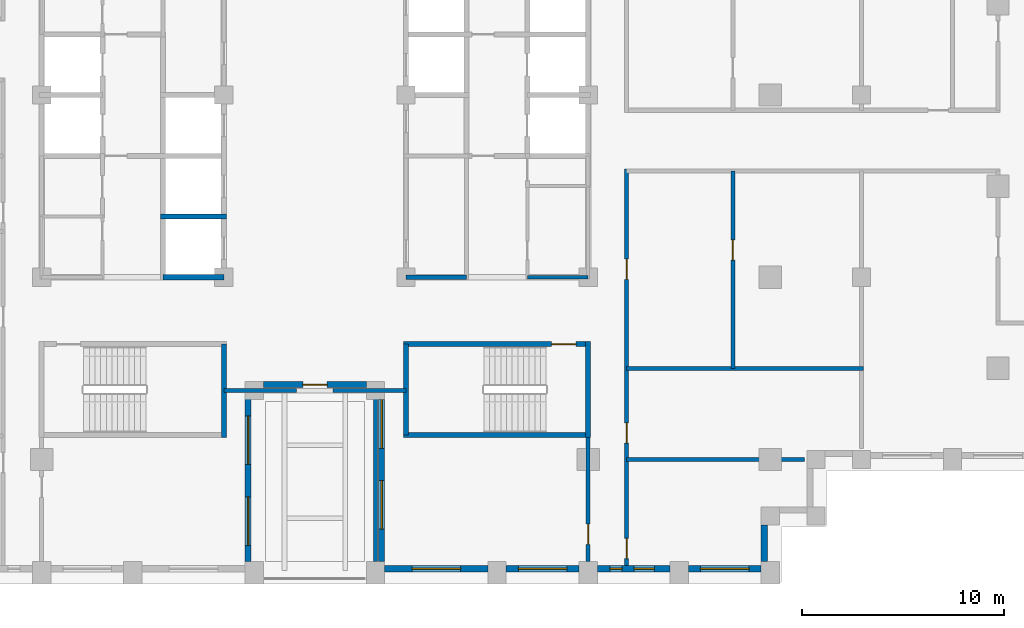
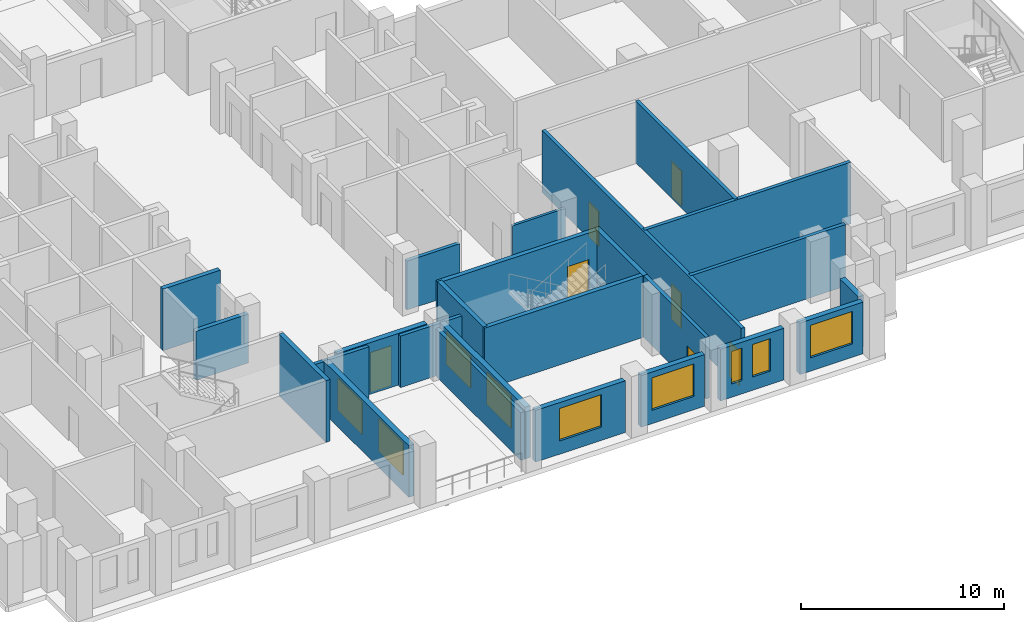
# One storey, part 4 of 12: 25 walls, 9 windows, 7 doors, 16 openings.
"""IFC4 building model written with IfcOpenShell, lengths in metres."""

from ifc_helpers import new_model, si_unit, direction, frame, frame_2d, origin, place, context, subcontext, project, spatial, rectangle, extrude, material, layer, layer_set, type_object, element, fill, save


model = new_model("IFC4")

# Units and contexts
model_context = context("Model", 3, precision=1e-05, world=origin(), true_north=direction((0.0, 1.0)))
body_context = subcontext(model_context, "Body", "Model", "MODEL_VIEW")
ifc_project = project(units=[si_unit("LENGTHUNIT", "METRE"), si_unit("AREAUNIT", "SQUARE_METRE"), si_unit("VOLUMEUNIT", "CUBIC_METRE"), si_unit("PLANEANGLEUNIT", "RADIAN"), si_unit("MASSUNIT", "GRAM", prefix="KILO")], contexts=[model_context])

# Site, building, storey
site_placement = place(None, origin())
site = spatial("IfcSite", under=ifc_project, at=site_placement, CompositionType="ELEMENT")
building_placement = place(site_placement, origin())
building = spatial("IfcBuilding", under=site, at=building_placement, Name="Corbelhall Arena Tower", CompositionType="ELEMENT")
storey_placement = place(building_placement, frame((0.0, 0.0, 126.0)))
storey = spatial("IfcBuildingStorey", under=building, at=storey_placement, Name="L23", CompositionType="ELEMENT", Elevation=126.0)

# Wall, openings, windows
ifc_material_1 = material(Name="Precast concrete C40/50 with granite facing", Category="masonry")
ifc_layer_1 = layer(ifc_material_1, 0.300048828125)
ifc_layer_set_1 = layer_set([ifc_layer_1], Name="EV-IW1 Infill panel 300")
wall_type_1 = type_object("IfcWallType", Name="EV-IW1 Infill panel 300", PredefinedType="SOLIDWALL", material=ifc_layer_set_1)
wall_1_placement = place(storey_placement, frame((-3.300048828125, -23.050048828125, 0.0), z_axis=(0.0, 0.0, 1.0), x_axis=(0.0, 1.0, 0.0)))
wall_1 = element("IfcWall", 1, at=wall_1_placement, inside=storey, type_object=wall_type_1, Name="Infill panel IW1", PredefinedType="SOLIDWALL", context=body_context, shape_type="SweptSolid", body=[
    extrude(rectangle(XDim=8.400146484375, YDim=0.300048828125, at=frame_2d((4.2001953125, 0.0))), origin(), (0.0, 0.0, 1.0), 3.10009765625),
])
opening_1_placement = place(wall_1_placement, frame((0.800048828125, 0.0, 0.800048828125)))
opening_1 = element("IfcOpeningElement", 2, at=opening_1_placement, cuts=wall_1, Name="Opening WN1", PredefinedType="OPENING", context=body_context, shape_type="SweptSolid", body=[
    extrude(rectangle(XDim=2.39990234375, YDim=1.949951171875, at=frame_2d((1.199951171875, 0.97509765625))), frame((0.0, 0.14990234375, 0.0), z_axis=(0.0, -1.0, 0.0), x_axis=(1.0, 0.0, 0.0)), (0.0, 0.0, 1.0), 0.300048828125),
])
opening_2_placement = place(wall_1_placement, frame((4.800048828125, 0.0, 0.800048828125)))
opening_2 = element("IfcOpeningElement", 3, at=opening_2_placement, cuts=wall_1, Name="Opening WN1", PredefinedType="OPENING", context=body_context, shape_type="SweptSolid", body=[
    extrude(rectangle(XDim=2.39990234375, YDim=1.949951171875, at=frame_2d((1.199951171875, 0.97509765625))), frame((0.0, 0.14990234375, 0.0), z_axis=(0.0, -1.0, 0.0), x_axis=(1.0, 0.0, 0.0)), (0.0, 0.0, 1.0), 0.300048828125),
])
ifc_material_2 = material(Name="Aluminium black anodised", Category="aluminium")
window_type_1 = type_object("IfcWindowType", Name="EV-WN1 Office window", PartitioningType="SINGLE_PANEL", PredefinedType="WINDOW", material=ifc_material_2)
window_1_placement = place(opening_1_placement, origin())
window_1 = element("IfcWindow", 4, at=window_1_placement, inside=storey, type_object=window_type_1, Name="Window WN1", OverallHeight=1.949951171875, OverallWidth=2.39990234375, PartitioningType="SINGLE_PANEL", PredefinedType="WINDOW", context=body_context, shape_type="SweptSolid", body=[
    extrude(rectangle(XDim=2.39990234375, YDim=1.949951171875, at=frame_2d((1.199951171875, 0.97509765625))), frame((0.0, 0.030029296875, 0.0), z_axis=(0.0, -1.0, 0.0), x_axis=(1.0, 0.0, 0.0)), (0.0, 0.0, 1.0), 0.06005859375),
])
fill(opening_1, window_1)
window_2_placement = place(opening_2_placement, origin())
window_2 = element("IfcWindow", 5, at=window_2_placement, inside=storey, type_object=window_type_1, Name="Window WN1", OverallHeight=1.949951171875, OverallWidth=2.39990234375, PartitioningType="SINGLE_PANEL", PredefinedType="WINDOW", context=body_context, shape_type="SweptSolid", body=[
    extrude(rectangle(XDim=2.39990234375, YDim=1.949951171875, at=frame_2d((1.199951171875, 0.97509765625))), frame((0.0, 0.030029296875, 0.0), z_axis=(0.0, -1.0, 0.0), x_axis=(1.0, 0.0, 0.0)), (0.0, 0.0, 1.0), 0.06005859375),
])
fill(opening_2, window_2)

# Wall, opening, door
wall_2_placement = place(storey_placement, frame((2.550048828125, -14.300048828125, 0.0), z_axis=(0.0, 0.0, 1.0), x_axis=(-1.0, 0.0, 0.0)))
wall_2 = element("IfcWall", 6, at=wall_2_placement, inside=storey, type_object=wall_type_1, Name="Infill panel IW1", PredefinedType="SOLIDWALL", context=body_context, shape_type="SweptSolid", body=[
    extrude(rectangle(XDim=5.10009765625, YDim=0.300048828125, at=frame_2d((2.550048828125, 0.0))), origin(), (0.0, 0.0, 1.0), 3.10009765625),
])
opening_3_placement = place(wall_2_placement, frame((1.949951171875, 0.0, 0.0)))
opening_3 = element("IfcOpeningElement", 7, at=opening_3_placement, cuts=wall_2, Name="Opening ED1", PredefinedType="OPENING", context=body_context, shape_type="SweptSolid", body=[
    extrude(rectangle(XDim=1.199951171875, YDim=2.39990234375, at=frame_2d((0.60009765625, 1.199951171875))), frame((0.0, 0.14990234375, 0.0), z_axis=(0.0, -1.0, 0.0), x_axis=(1.0, 0.0, 0.0)), (0.0, 0.0, 1.0), 0.300048828125),
])
door_type_1 = type_object("IfcDoorType", Name="EV-ED1 Terrace door", OperationType="SINGLE_SWING_LEFT", PredefinedType="DOOR", material=ifc_material_2)
door_1_placement = place(opening_3_placement, origin())
door_1 = element("IfcDoor", 8, at=door_1_placement, inside=storey, type_object=door_type_1, Name="Terrace door", OperationType="SINGLE_SWING_LEFT", OverallHeight=2.39990234375, OverallWidth=1.199951171875, PredefinedType="DOOR", context=body_context, shape_type="SweptSolid", body=[
    extrude(rectangle(XDim=1.199951171875, YDim=2.39990234375, at=frame_2d((0.60009765625, 1.199951171875))), frame((0.0, 0.02490234375, 0.0), z_axis=(0.0, -1.0, 0.0), x_axis=(1.0, 0.0, 0.0)), (0.0, 0.0, 1.0), 0.050048828125),
])
fill(opening_3, door_1)

# Wall, openings, windows
wall_3_placement = place(storey_placement, frame((3.300048828125, -14.64990234375, 0.0), z_axis=(0.0, 0.0, 1.0), x_axis=(0.0, -1.0, 0.0)))
wall_3 = element("IfcWall", 9, at=wall_3_placement, inside=storey, type_object=wall_type_1, Name="Infill panel IW1", PredefinedType="SOLIDWALL", context=body_context, shape_type="SweptSolid", body=[
    extrude(rectangle(XDim=8.400146484375, YDim=0.300048828125, at=frame_2d((4.2001953125, 0.0))), origin(), (0.0, 0.0, 1.0), 3.10009765625),
])
opening_4_placement = place(wall_3_placement, frame((0.39990234375, 0.0, 0.800048828125)))
opening_4 = element("IfcOpeningElement", 10, at=opening_4_placement, cuts=wall_3, Name="Opening WN1", PredefinedType="OPENING", context=body_context, shape_type="SweptSolid", body=[
    extrude(rectangle(XDim=2.39990234375, YDim=1.949951171875, at=frame_2d((1.199951171875, 0.97509765625))), frame((0.0, 0.14990234375, 0.0), z_axis=(0.0, -1.0, 0.0), x_axis=(1.0, 0.0, 0.0)), (0.0, 0.0, 1.0), 0.300048828125),
])
opening_5_placement = place(wall_3_placement, frame((4.39990234375, 0.0, 0.800048828125)))
opening_5 = element("IfcOpeningElement", 11, at=opening_5_placement, cuts=wall_3, Name="Opening WN1", PredefinedType="OPENING", context=body_context, shape_type="SweptSolid", body=[
    extrude(rectangle(XDim=2.39990234375, YDim=1.949951171875, at=frame_2d((1.199951171875, 0.97509765625))), frame((0.0, 0.14990234375, 0.0), z_axis=(0.0, -1.0, 0.0), x_axis=(1.0, 0.0, 0.0)), (0.0, 0.0, 1.0), 0.300048828125),
])
window_3_placement = place(opening_4_placement, origin())
window_3 = element("IfcWindow", 12, at=window_3_placement, inside=storey, type_object=window_type_1, Name="Window WN1", OverallHeight=1.949951171875, OverallWidth=2.39990234375, PartitioningType="SINGLE_PANEL", PredefinedType="WINDOW", context=body_context, shape_type="SweptSolid", body=[
    extrude(rectangle(XDim=2.39990234375, YDim=1.949951171875, at=frame_2d((1.199951171875, 0.97509765625))), frame((0.0, 0.030029296875, 0.0), z_axis=(0.0, -1.0, 0.0), x_axis=(1.0, 0.0, 0.0)), (0.0, 0.0, 1.0), 0.06005859375),
])
fill(opening_4, window_3)
window_4_placement = place(opening_5_placement, origin())
window_4 = element("IfcWindow", 13, at=window_4_placement, inside=storey, type_object=window_type_1, Name="Window WN1", OverallHeight=1.949951171875, OverallWidth=2.39990234375, PartitioningType="SINGLE_PANEL", PredefinedType="WINDOW", context=body_context, shape_type="SweptSolid", body=[
    extrude(rectangle(XDim=2.39990234375, YDim=1.949951171875, at=frame_2d((1.199951171875, 0.97509765625))), frame((0.0, 0.030029296875, 0.0), z_axis=(0.0, -1.0, 0.0), x_axis=(1.0, 0.0, 0.0)), (0.0, 0.0, 1.0), 0.06005859375),
])
fill(opening_5, window_4)

# Wall, opening, window
wall_4_placement = place(storey_placement, frame((3.449951171875, -23.39990234375, 0.0), z_axis=(0.0, 0.0, 1.0), x_axis=(1.0, 0.0, 0.0)))
wall_4 = element("IfcWall", 14, at=wall_4_placement, inside=storey, type_object=wall_type_1, Name="Infill panel IW1", PredefinedType="SOLIDWALL", context=body_context, shape_type="SweptSolid", body=[
    extrude(rectangle(XDim=5.10009765625, YDim=0.300048828125, at=frame_2d((2.550048828125, 0.0))), origin(), (0.0, 0.0, 1.0), 3.10009765625),
])
opening_6_placement = place(wall_4_placement, frame((1.35009765625, 0.0, 0.800048828125)))
opening_6 = element("IfcOpeningElement", 15, at=opening_6_placement, cuts=wall_4, Name="Opening WN1", PredefinedType="OPENING", context=body_context, shape_type="SweptSolid", body=[
    extrude(rectangle(XDim=2.39990234375, YDim=1.949951171875, at=frame_2d((1.199951171875, 0.97509765625))), frame((0.0, 0.14990234375, 0.0), z_axis=(0.0, -1.0, 0.0), x_axis=(1.0, 0.0, 0.0)), (0.0, 0.0, 1.0), 0.300048828125),
])
window_5_placement = place(opening_6_placement, origin())
window_5 = element("IfcWindow", 16, at=window_5_placement, inside=storey, type_object=window_type_1, Name="Window WN1", OverallHeight=1.949951171875, OverallWidth=2.39990234375, PartitioningType="SINGLE_PANEL", PredefinedType="WINDOW", context=body_context, shape_type="SweptSolid", body=[
    extrude(rectangle(XDim=2.39990234375, YDim=1.949951171875, at=frame_2d((1.199951171875, 0.97509765625))), frame((0.0, 0.030029296875, 0.0), z_axis=(0.0, -1.0, 0.0), x_axis=(1.0, 0.0, 0.0)), (0.0, 0.0, 1.0), 0.06005859375),
])
fill(opening_6, window_5)

wall_5_placement = place(storey_placement, frame((9.449951171875, -23.39990234375, 0.0), z_axis=(0.0, 0.0, 1.0), x_axis=(1.0, 0.0, 0.0)))
wall_5 = element("IfcWall", 17, at=wall_5_placement, inside=storey, type_object=wall_type_1, Name="Infill panel IW1", PredefinedType="SOLIDWALL", context=body_context, shape_type="SweptSolid", body=[
    extrude(rectangle(XDim=3.60009765625, YDim=0.300048828125, at=frame_2d((1.800048828125, 0.0))), origin(), (0.0, 0.0, 1.0), 3.10009765625),
])
opening_7_placement = place(wall_5_placement, frame((0.60009765625, 0.0, 0.800048828125)))
opening_7 = element("IfcOpeningElement", 18, at=opening_7_placement, cuts=wall_5, Name="Opening WN1", PredefinedType="OPENING", context=body_context, shape_type="SweptSolid", body=[
    extrude(rectangle(XDim=2.39990234375, YDim=1.949951171875, at=frame_2d((1.199951171875, 0.97509765625))), frame((0.0, 0.14990234375, 0.0), z_axis=(0.0, -1.0, 0.0), x_axis=(1.0, 0.0, 0.0)), (0.0, 0.0, 1.0), 0.300048828125),
])
window_6_placement = place(opening_7_placement, origin())
window_6 = element("IfcWindow", 19, at=window_6_placement, inside=storey, type_object=window_type_1, Name="Window WN1", OverallHeight=1.949951171875, OverallWidth=2.39990234375, PartitioningType="SINGLE_PANEL", PredefinedType="WINDOW", context=body_context, shape_type="SweptSolid", body=[
    extrude(rectangle(XDim=2.39990234375, YDim=1.949951171875, at=frame_2d((1.199951171875, 0.97509765625))), frame((0.0, 0.030029296875, 0.0), z_axis=(0.0, -1.0, 0.0), x_axis=(1.0, 0.0, 0.0)), (0.0, 0.0, 1.0), 0.06005859375),
])
fill(opening_7, window_6)

# Wall, openings, windows
wall_6_placement = place(storey_placement, frame((13.949951171875, -23.39990234375, 0.0), z_axis=(0.0, 0.0, 1.0), x_axis=(1.0, 0.0, 0.0)))
wall_6 = element("IfcWall", 20, at=wall_6_placement, inside=storey, type_object=wall_type_1, Name="Infill panel IW1", PredefinedType="SOLIDWALL", context=body_context, shape_type="SweptSolid", body=[
    extrude(rectangle(XDim=3.60009765625, YDim=0.300048828125, at=frame_2d((1.800048828125, 0.0))), origin(), (0.0, 0.0, 1.0), 3.10009765625),
])
opening_8_placement = place(wall_6_placement, frame((0.625, 0.0, 0.800048828125)))
opening_8 = element("IfcOpeningElement", 21, at=opening_8_placement, cuts=wall_6, Name="Opening WN5", PredefinedType="OPENING", context=body_context, shape_type="SweptSolid", body=[
    extrude(rectangle(XDim=0.60009765625, YDim=1.949951171875, at=frame_2d((0.300048828125, 0.97509765625))), frame((0.0, 0.14990234375, 0.0), z_axis=(0.0, -1.0, 0.0), x_axis=(1.0, 0.0, 0.0)), (0.0, 0.0, 1.0), 0.300048828125),
])
opening_9_placement = place(wall_6_placement, frame((1.824951171875, 0.0, 0.800048828125)))
opening_9 = element("IfcOpeningElement", 22, at=opening_9_placement, cuts=wall_6, Name="Opening WN6", PredefinedType="OPENING", context=body_context, shape_type="SweptSolid", body=[
    extrude(rectangle(XDim=1.0, YDim=1.949951171875, at=frame_2d((0.5, 0.97509765625))), frame((0.0, 0.14990234375, 0.0), z_axis=(0.0, -1.0, 0.0), x_axis=(1.0, 0.0, 0.0)), (0.0, 0.0, 1.0), 0.300048828125),
])
window_type_2 = type_object("IfcWindowType", Name="EV-WN5 Office window 600", PartitioningType="SINGLE_PANEL", PredefinedType="WINDOW", material=ifc_material_2)
window_7_placement = place(opening_8_placement, origin())
window_7 = element("IfcWindow", 23, at=window_7_placement, inside=storey, type_object=window_type_2, Name="Window WN5", OverallHeight=1.949951171875, OverallWidth=0.60009765625, PartitioningType="SINGLE_PANEL", PredefinedType="WINDOW", context=body_context, shape_type="SweptSolid", body=[
    extrude(rectangle(XDim=0.60009765625, YDim=1.949951171875, at=frame_2d((0.300048828125, 0.97509765625))), frame((0.0, 0.030029296875, 0.0), z_axis=(0.0, -1.0, 0.0), x_axis=(1.0, 0.0, 0.0)), (0.0, 0.0, 1.0), 0.06005859375),
])
fill(opening_8, window_7)
window_type_3 = type_object("IfcWindowType", Name="EV-WN6 Office window 1000", PartitioningType="SINGLE_PANEL", PredefinedType="WINDOW", material=ifc_material_2)
window_8_placement = place(opening_9_placement, origin())
window_8 = element("IfcWindow", 24, at=window_8_placement, inside=storey, type_object=window_type_3, Name="Window WN6", OverallHeight=1.949951171875, OverallWidth=1.0, PartitioningType="SINGLE_PANEL", PredefinedType="WINDOW", context=body_context, shape_type="SweptSolid", body=[
    extrude(rectangle(XDim=1.0, YDim=1.949951171875, at=frame_2d((0.5, 0.97509765625))), frame((0.0, 0.030029296875, 0.0), z_axis=(0.0, -1.0, 0.0), x_axis=(1.0, 0.0, 0.0)), (0.0, 0.0, 1.0), 0.06005859375),
])
fill(opening_9, window_8)

# Wall, opening, window
wall_7_placement = place(storey_placement, frame((18.449951171875, -23.39990234375, 0.0), z_axis=(0.0, 0.0, 1.0), x_axis=(1.0, 0.0, 0.0)))
wall_7 = element("IfcWall", 25, at=wall_7_placement, inside=storey, type_object=wall_type_1, Name="Infill panel IW1", PredefinedType="SOLIDWALL", context=body_context, shape_type="SweptSolid", body=[
    extrude(rectangle(XDim=3.60009765625, YDim=0.300048828125, at=frame_2d((1.800048828125, 0.0))), origin(), (0.0, 0.0, 1.0), 3.10009765625),
])
opening_10_placement = place(wall_7_placement, frame((0.60009765625, 0.0, 0.800048828125)))
opening_10 = element("IfcOpeningElement", 26, at=opening_10_placement, cuts=wall_7, Name="Opening WN1", PredefinedType="OPENING", context=body_context, shape_type="SweptSolid", body=[
    extrude(rectangle(XDim=2.39990234375, YDim=1.949951171875, at=frame_2d((1.199951171875, 0.97509765625))), frame((0.0, 0.14990234375, 0.0), z_axis=(0.0, -1.0, 0.0), x_axis=(1.0, 0.0, 0.0)), (0.0, 0.0, 1.0), 0.300048828125),
])
window_9_placement = place(opening_10_placement, origin())
window_9 = element("IfcWindow", 27, at=window_9_placement, inside=storey, type_object=window_type_1, Name="Window WN1", OverallHeight=1.949951171875, OverallWidth=2.39990234375, PartitioningType="SINGLE_PANEL", PredefinedType="WINDOW", context=body_context, shape_type="SweptSolid", body=[
    extrude(rectangle(XDim=2.39990234375, YDim=1.949951171875, at=frame_2d((1.199951171875, 0.97509765625))), frame((0.0, 0.030029296875, 0.0), z_axis=(0.0, -1.0, 0.0), x_axis=(1.0, 0.0, 0.0)), (0.0, 0.0, 1.0), 0.06005859375),
])
fill(opening_10, window_9)

# Wall
wall_8_placement = place(storey_placement, frame((22.199951171875, -23.050048828125, 0.0), z_axis=(0.0, 0.0, 1.0), x_axis=(0.0, 1.0, 0.0)))
element("IfcWall", 28, at=wall_8_placement, inside=storey, type_object=wall_type_1, Name="Infill panel IW1", PredefinedType="SOLIDWALL", context=body_context, shape_type="SweptSolid", body=[
    extrude(rectangle(XDim=1.800048828125, YDim=0.300048828125, at=frame_2d((0.89990234375, 0.0))), origin(), (0.0, 0.0, 1.0), 3.10009765625),
])

# Wall, opening, door
ifc_material_3 = material(Name="Gypsum board on steel stud, acoustic", Category="steel")
ifc_layer_2 = layer(ifc_material_3, 0.199951171875)
ifc_layer_set_2 = layer_set([ifc_layer_2], Name="IN-W-DM200")
wall_type_2 = type_object("IfcWallType", Name="IN-W-DM200", PredefinedType="PARTITIONING", material=ifc_layer_set_2)
wall_9_placement = place(storey_placement, frame((13.5, -23.050048828125, 0.0), z_axis=(0.0, 0.0, 1.0), x_axis=(0.0, 1.0, 0.0)))
wall_9 = element("IfcWall", 29, at=wall_9_placement, inside=storey, type_object=wall_type_2, Name="Partition 028", PredefinedType="PARTITIONING", context=body_context, shape_type="SweptSolid", body=[
    extrude(rectangle(XDim=6.375, YDim=0.199951171875, at=frame_2d((3.1875, 0.0))), origin(), (0.0, 0.0, 1.0), 3.699951171875),
])
opening_11_placement = place(wall_9_placement, frame((0.85009765625, 0.0, 0.0)))
opening_11 = element("IfcOpeningElement", 30, at=opening_11_placement, cuts=wall_9, Name="Opening 06025", PredefinedType="OPENING", context=body_context, shape_type="SweptSolid", body=[
    extrude(rectangle(XDim=1.0, YDim=2.10009765625, at=frame_2d((0.5, 1.050048828125))), frame((0.0, 0.10009765625, 0.0), z_axis=(0.0, -1.0, 0.0), x_axis=(1.0, 0.0, 0.0)), (0.0, 0.0, 1.0), 0.199951171875),
])
ifc_material_4 = material(Name="Steel door set", Category="steel")
door_type_2 = type_object("IfcDoorType", Name="IN-D-SW100", OperationType="NOTDEFINED", PredefinedType="DOOR", material=ifc_material_4)
door_2_placement = place(opening_11_placement, origin())
door_2 = element("IfcDoor", 31, at=door_2_placement, inside=storey, type_object=door_type_2, Name="Door 025", OperationType="SINGLE_SWING_RIGHT", OverallHeight=2.10009765625, OverallWidth=1.0, PredefinedType="DOOR", context=body_context, shape_type="SweptSolid", body=[
    extrude(rectangle(XDim=1.0, YDim=2.10009765625, at=frame_2d((0.5, 1.050048828125))), frame((0.0, 0.02490234375, 0.0), z_axis=(0.0, -1.0, 0.0), x_axis=(1.0, 0.0, 0.0)), (0.0, 0.0, 1.0), 0.050048828125),
])
fill(opening_11, door_2)

# Wall
wall_10_placement = place(storey_placement, frame((15.39990234375, -18.0, 0.0), z_axis=(0.0, 0.0, 1.0), x_axis=(1.0, 0.0, 0.0)))
element("IfcWall", 32, at=wall_10_placement, inside=storey, type_object=wall_type_2, Name="Partition 029", PredefinedType="PARTITIONING", context=body_context, shape_type="SweptSolid", body=[
    extrude(rectangle(XDim=8.800048828125, YDim=0.199951171875, at=frame_2d((4.39990234375, 0.0))), origin(), (0.0, 0.0, 1.0), 3.699951171875),
])

# Wall, openings, doors
wall_11_placement = place(storey_placement, frame((15.39990234375, -3.64990234375, 0.0), z_axis=(0.0, 0.0, 1.0), x_axis=(0.0, -1.0, 0.0)))
wall_11 = element("IfcWall", 33, at=wall_11_placement, inside=storey, type_object=wall_type_2, Name="Partition 030", PredefinedType="PARTITIONING", context=body_context, shape_type="SweptSolid", body=[
    extrude(rectangle(XDim=19.60009765625, YDim=0.199951171875, at=frame_2d((9.800048828125, 0.0))), origin(), (0.0, 0.0, 1.0), 3.699951171875),
])
opening_12_placement = place(wall_11_placement, frame((18.25, 0.0, 0.0)))
opening_12 = element("IfcOpeningElement", 34, at=opening_12_placement, cuts=wall_11, Name="Opening 06035", PredefinedType="OPENING", context=body_context, shape_type="SweptSolid", body=[
    extrude(rectangle(XDim=1.0, YDim=2.10009765625, at=frame_2d((0.5, 1.050048828125))), frame((0.0, 0.10009765625, 0.0), z_axis=(0.0, -1.0, 0.0), x_axis=(1.0, 0.0, 0.0)), (0.0, 0.0, 1.0), 0.199951171875),
])
opening_13_placement = place(wall_11_placement, frame((12.550048828125, 0.0, 0.0)))
opening_13 = element("IfcOpeningElement", 35, at=opening_13_placement, cuts=wall_11, Name="Opening 06036", PredefinedType="OPENING", context=body_context, shape_type="SweptSolid", body=[
    extrude(rectangle(XDim=1.0, YDim=2.10009765625, at=frame_2d((0.5, 1.050048828125))), frame((0.0, 0.10009765625, 0.0), z_axis=(0.0, -1.0, 0.0), x_axis=(1.0, 0.0, 0.0)), (0.0, 0.0, 1.0), 0.199951171875),
])
opening_14_placement = place(wall_11_placement, frame((4.449951171875, 0.0, 0.0)))
opening_14 = element("IfcOpeningElement", 36, at=opening_14_placement, cuts=wall_11, Name="Opening 06037", PredefinedType="OPENING", context=body_context, shape_type="SweptSolid", body=[
    extrude(rectangle(XDim=1.0, YDim=2.10009765625, at=frame_2d((0.5, 1.050048828125))), frame((0.0, 0.10009765625, 0.0), z_axis=(0.0, -1.0, 0.0), x_axis=(1.0, 0.0, 0.0)), (0.0, 0.0, 1.0), 0.199951171875),
])
door_3_placement = place(opening_12_placement, origin())
door_3 = element("IfcDoor", 37, at=door_3_placement, inside=storey, type_object=door_type_2, Name="Door 035", OperationType="SINGLE_SWING_RIGHT", OverallHeight=2.10009765625, OverallWidth=1.0, PredefinedType="DOOR", context=body_context, shape_type="SweptSolid", body=[
    extrude(rectangle(XDim=1.0, YDim=2.10009765625, at=frame_2d((0.5, 1.050048828125))), frame((0.0, 0.02490234375, 0.0), z_axis=(0.0, -1.0, 0.0), x_axis=(1.0, 0.0, 0.0)), (0.0, 0.0, 1.0), 0.050048828125),
])
fill(opening_12, door_3)
door_4_placement = place(opening_13_placement, origin())
door_4 = element("IfcDoor", 38, at=door_4_placement, inside=storey, type_object=door_type_2, Name="Door 036", OperationType="SINGLE_SWING_LEFT", OverallHeight=2.10009765625, OverallWidth=1.0, PredefinedType="DOOR", context=body_context, shape_type="SweptSolid", body=[
    extrude(rectangle(XDim=1.0, YDim=2.10009765625, at=frame_2d((0.5, 1.050048828125))), frame((0.0, 0.02490234375, 0.0), z_axis=(0.0, -1.0, 0.0), x_axis=(1.0, 0.0, 0.0)), (0.0, 0.0, 1.0), 0.050048828125),
])
fill(opening_13, door_4)
door_5_placement = place(opening_14_placement, origin())
door_5 = element("IfcDoor", 39, at=door_5_placement, inside=storey, type_object=door_type_2, Name="Door 037", OperationType="SINGLE_SWING_RIGHT", OverallHeight=2.10009765625, OverallWidth=1.0, PredefinedType="DOOR", context=body_context, shape_type="SweptSolid", body=[
    extrude(rectangle(XDim=1.0, YDim=2.10009765625, at=frame_2d((0.5, 1.050048828125))), frame((0.0, 0.02490234375, 0.0), z_axis=(0.0, -1.0, 0.0), x_axis=(1.0, 0.0, 0.0)), (0.0, 0.0, 1.0), 0.050048828125),
])
fill(opening_14, door_5)

# Wall
wall_12_placement = place(storey_placement, frame((15.39990234375, -13.5, 0.0), z_axis=(0.0, 0.0, 1.0), x_axis=(1.0, 0.0, 0.0)))
element("IfcWall", 40, at=wall_12_placement, inside=storey, type_object=wall_type_2, Name="Partition 031", PredefinedType="PARTITIONING", context=body_context, shape_type="SweptSolid", body=[
    extrude(rectangle(XDim=11.7001953125, YDim=0.199951171875, at=frame_2d((5.85009765625, 0.0))), origin(), (0.0, 0.0, 1.0), 3.699951171875),
])

# Wall, opening, door
wall_13_placement = place(storey_placement, frame((20.64990234375, -3.75, 0.0), z_axis=(0.0, 0.0, 1.0), x_axis=(0.0, -1.0, 0.0)))
wall_13 = element("IfcWall", 41, at=wall_13_placement, inside=storey, type_object=wall_type_2, Name="Partition 034", PredefinedType="PARTITIONING", context=body_context, shape_type="SweptSolid", body=[
    extrude(rectangle(XDim=9.75, YDim=0.199951171875, at=frame_2d((4.875, 0.0))), origin(), (0.0, 0.0, 1.0), 3.699951171875),
])
opening_15_placement = place(wall_13_placement, frame((3.39990234375, 0.0, 0.0)))
opening_15 = element("IfcOpeningElement", 42, at=opening_15_placement, cuts=wall_13, Name="Opening 06038", PredefinedType="OPENING", context=body_context, shape_type="SweptSolid", body=[
    extrude(rectangle(XDim=1.0, YDim=2.10009765625, at=frame_2d((0.5, 1.050048828125))), frame((0.0, 0.10009765625, 0.0), z_axis=(0.0, -1.0, 0.0), x_axis=(1.0, 0.0, 0.0)), (0.0, 0.0, 1.0), 0.199951171875),
])
door_6_placement = place(opening_15_placement, origin())
door_6 = element("IfcDoor", 43, at=door_6_placement, inside=storey, type_object=door_type_2, Name="Door 038", OperationType="SINGLE_SWING_LEFT", OverallHeight=2.10009765625, OverallWidth=1.0, PredefinedType="DOOR", context=body_context, shape_type="SweptSolid", body=[
    extrude(rectangle(XDim=1.0, YDim=2.10009765625, at=frame_2d((0.5, 1.050048828125))), frame((0.0, 0.02490234375, 0.0), z_axis=(0.0, -1.0, 0.0), x_axis=(1.0, 0.0, 0.0)), (0.0, 0.0, 1.0), 0.050048828125),
])
fill(opening_15, door_6)

# Walls
ifc_layer_3 = layer(ifc_material_3, 0.199951171875)
ifc_layer_set_3 = layer_set([ifc_layer_3], Name="IN-W-DM200 under beam 612 mm")
wall_type_3 = type_object("IfcWallType", Name="IN-W-DM200 under beam 612 mm", PredefinedType="PARTITIONING", material=ifc_layer_set_3)
for number, where, z_axis, x_axis, name in (
    (44, (-0.89990234375, -14.60009765625, 0.0), (0.0, 0.0, 1.0), (-1.0, 0.0, 0.0), "Partition 024"),
    (45, (4.5, -14.60009765625, 0.0), (0.0, 0.0, 1.0), (-1.0, 0.0, 0.0), "Partition 027"),
):
    element("IfcWall", number, at=place(storey_placement, frame(where, z_axis=z_axis, x_axis=x_axis)), inside=storey, type_object=wall_type_3, Name=name, PredefinedType="PARTITIONING", context=body_context, shape_type="SweptSolid", body=[
        extrude(rectangle(XDim=3.60009765625, YDim=0.199951171875, at=frame_2d((1.800048828125, 0.0))), origin(), (0.0, 0.0, 1.0), 3.087890625),
    ])
ifc_layer_4 = layer(ifc_material_3, 0.199951171875)
ifc_layer_set_4 = layer_set([ifc_layer_4], Name="IN-W-DM200 under beam 846 mm")
wall_type_4 = type_object("IfcWallType", Name="IN-W-DM200 under beam 846 mm", PredefinedType="PARTITIONING", material=ifc_layer_set_4)
wall_14_placement = place(storey_placement, frame((3.0, -14.60009765625, 0.0), z_axis=(0.0, 0.0, 1.0), x_axis=(0.0, -1.0, 0.0)))
element("IfcWall", 46, at=wall_14_placement, inside=storey, type_object=wall_type_4, Name="Partition 026", PredefinedType="PARTITIONING", context=body_context, shape_type="SweptSolid", body=[
    extrude(rectangle(XDim=8.449951171875, YDim=0.199951171875, at=frame_2d((4.22509765625, 0.0))), origin(), (0.0, 0.0, 1.0), 2.854248046875),
])
ifc_material_5 = material(Name="Concrete block wall", Category="concrete")
ifc_layer_5 = layer(ifc_material_5, 0.199951171875)
ifc_layer_set_5 = layer_set([ifc_layer_5], Name="IN-W-RS200 under beam 762 mm")
wall_type_5 = type_object("IfcWallType", Name="IN-W-RS200 under beam 762 mm", PredefinedType="SOLIDWALL", material=ifc_layer_set_5)
wall_15_placement = place(storey_placement, frame((7.5, -9.0, 0.0), z_axis=(0.0, 0.0, 1.0), x_axis=(-1.0, 0.0, 0.0)))
element("IfcWall", 47, at=wall_15_placement, inside=storey, type_object=wall_type_5, Name="Partition 056", PredefinedType="SOLIDWALL", context=body_context, shape_type="SweptSolid", body=[
    extrude(rectangle(XDim=3.0, YDim=0.199951171875, at=frame_2d((1.5, 0.0))), origin(), (0.0, 0.0, 1.0), 2.93798828125),
])
ifc_material_6 = material(Name="Concrete C40/50", Category="concrete")
ifc_layer_6 = layer(ifc_material_6, 0.25)
ifc_layer_set_6 = layer_set([ifc_layer_6], Name="IN-W-SH250")
wall_type_6 = type_object("IfcWallType", Name="IN-W-SH250", PredefinedType="SOLIDWALL", material=ifc_layer_set_6)
wall_16_placement = place(storey_placement, frame((-7.625, -6.0, 0.0), z_axis=(0.0, 0.0, 1.0), x_axis=(1.0, 0.0, 0.0)))
element("IfcWall", 48, at=wall_16_placement, inside=storey, type_object=wall_type_6, Name="Shaft wall 068", PredefinedType="SOLIDWALL", context=body_context, shape_type="SweptSolid", body=[
    extrude(rectangle(XDim=3.25, YDim=0.25, at=frame_2d((1.625, 0.0))), origin(), (0.0, 0.0, 1.0), 3.699951171875),
])
ifc_layer_7 = layer(ifc_material_6, 0.25)
ifc_layer_set_7 = layer_set([ifc_layer_7], Name="IN-W-SH250 under beam 762 mm")
wall_type_7 = type_object("IfcWallType", Name="IN-W-SH250 under beam 762 mm", PredefinedType="SOLIDWALL", material=ifc_layer_set_7)
wall_17_placement = place(storey_placement, frame((-4.5, -9.0, 0.0), z_axis=(0.0, 0.0, 1.0), x_axis=(-1.0, 0.0, 0.0)))
element("IfcWall", 49, at=wall_17_placement, inside=storey, type_object=wall_type_7, Name="Shaft wall 071", PredefinedType="SOLIDWALL", context=body_context, shape_type="SweptSolid", body=[
    extrude(rectangle(XDim=3.0, YDim=0.25, at=frame_2d((1.5, 0.0))), origin(), (0.0, 0.0, 1.0), 2.93798828125),
])
ifc_layer_8 = layer(ifc_material_6, 0.25)
ifc_layer_set_8 = layer_set([ifc_layer_8], Name="IN-W-ST250")
wall_type_8 = type_object("IfcWallType", Name="IN-W-ST250", PredefinedType="SOLIDWALL", material=ifc_layer_set_8)
wall_18_placement = place(storey_placement, frame((-4.5, -12.300048828125, 0.0), z_axis=(0.0, 0.0, 1.0), x_axis=(0.0, -1.0, 0.0)))
element("IfcWall", 50, at=wall_18_placement, inside=storey, type_object=wall_type_8, Name="Shaft wall 095", PredefinedType="SOLIDWALL", context=body_context, shape_type="SweptSolid", body=[
    extrude(rectangle(XDim=4.625, YDim=0.25, at=frame_2d((2.3125, 0.0))), origin(), (0.0, 0.0, 1.0), 3.699951171875),
])
wall_19_placement = place(storey_placement, frame((4.5, -16.800048828125, 0.0), z_axis=(0.0, 0.0, 1.0), x_axis=(0.0, 1.0, 0.0)))
element("IfcWall", 51, at=wall_19_placement, inside=storey, type_object=wall_type_8, Name="Shaft wall 099", PredefinedType="SOLIDWALL", context=body_context, shape_type="SweptSolid", body=[
    extrude(rectangle(XDim=4.5, YDim=0.25, at=frame_2d((2.25, 0.0))), origin(), (0.0, 0.0, 1.0), 3.699951171875),
])
wall_20_placement = place(storey_placement, frame((13.5, -16.925048828125, 0.0), z_axis=(0.0, 0.0, 1.0), x_axis=(0.0, 1.0, 0.0)))
element("IfcWall", 52, at=wall_20_placement, inside=storey, type_object=wall_type_8, Name="Shaft wall 102", PredefinedType="SOLIDWALL", context=body_context, shape_type="SweptSolid", body=[
    extrude(rectangle(XDim=4.75, YDim=0.25, at=frame_2d((2.375, 0.0))), origin(), (0.0, 0.0, 1.0), 3.699951171875),
])
wall_21_placement = place(storey_placement, frame((13.5, -16.800048828125, 0.0), z_axis=(0.0, 0.0, 1.0), x_axis=(-1.0, 0.0, 0.0)))
element("IfcWall", 53, at=wall_21_placement, inside=storey, type_object=wall_type_8, Name="Shaft wall 103", PredefinedType="SOLIDWALL", context=body_context, shape_type="SweptSolid", body=[
    extrude(rectangle(XDim=9.125, YDim=0.25, at=frame_2d((4.5625, 0.0))), origin(), (0.0, 0.0, 1.0), 3.699951171875),
])

# Wall, opening, door
wall_22_placement = place(storey_placement, frame((13.5, -12.300048828125, 0.0), z_axis=(0.0, 0.0, 1.0), x_axis=(-1.0, 0.0, 0.0)))
wall_22 = element("IfcWall", 54, at=wall_22_placement, inside=storey, type_object=wall_type_8, Name="Shaft wall 104", PredefinedType="SOLIDWALL", context=body_context, shape_type="SweptSolid", body=[
    extrude(rectangle(XDim=9.125, YDim=0.25, at=frame_2d((4.5625, 0.0))), origin(), (0.0, 0.0, 1.0), 3.699951171875),
])
opening_16_placement = place(wall_22_placement, frame((0.60009765625, 0.0, 0.0)))
opening_16 = element("IfcOpeningElement", 55, at=opening_16_placement, cuts=wall_22, Name="Opening 06018", PredefinedType="OPENING", context=body_context, shape_type="SweptSolid", body=[
    extrude(rectangle(XDim=1.199951171875, YDim=2.10009765625, at=frame_2d((0.60009765625, 1.050048828125))), frame((0.0, 0.125, 0.0), z_axis=(0.0, -1.0, 0.0), x_axis=(1.0, 0.0, 0.0)), (0.0, 0.0, 1.0), 0.25),
])
door_type_3 = type_object("IfcDoorType", Name="IN-D-ST120", OperationType="NOTDEFINED", PredefinedType="DOOR", material=ifc_material_4)
door_7_placement = place(opening_16_placement, origin())
door_7 = element("IfcDoor", 56, at=door_7_placement, inside=storey, type_object=door_type_3, Name="Door 018", OperationType="SINGLE_SWING_LEFT", OverallHeight=2.10009765625, OverallWidth=1.199951171875, PredefinedType="DOOR", context=body_context, shape_type="SweptSolid", body=[
    extrude(rectangle(XDim=1.199951171875, YDim=2.10009765625, at=frame_2d((0.60009765625, 1.050048828125))), frame((0.0, 0.02490234375, 0.0), z_axis=(0.0, -1.0, 0.0), x_axis=(1.0, 0.0, 0.0)), (0.0, 0.0, 1.0), 0.050048828125),
])
fill(opening_16, door_7)

# Wall
ifc_material_7 = material(Name="Gypsum board on steel stud, moisture resistant", Category="steel")
ifc_layer_9 = layer(ifc_material_7, 0.14990234375)
ifc_layer_set_9 = layer_set([ifc_layer_9], Name="IN-W-WC150 under beam 762 mm")
wall_type_9 = type_object("IfcWallType", Name="IN-W-WC150 under beam 762 mm", PredefinedType="PARTITIONING", material=ifc_layer_set_9)
wall_23_placement = place(storey_placement, frame((13.5, -9.0, 0.0), z_axis=(0.0, 0.0, 1.0), x_axis=(-1.0, 0.0, 0.0)))
element("IfcWall", 57, at=wall_23_placement, inside=storey, type_object=wall_type_9, Name="Partition 120", PredefinedType="PARTITIONING", context=body_context, shape_type="SweptSolid", body=[
    extrude(rectangle(XDim=3.0, YDim=0.14990234375, at=frame_2d((1.5, 0.0))), origin(), (0.0, 0.0, 1.0), 2.93798828125),
])

save(model, "model.ifc")
